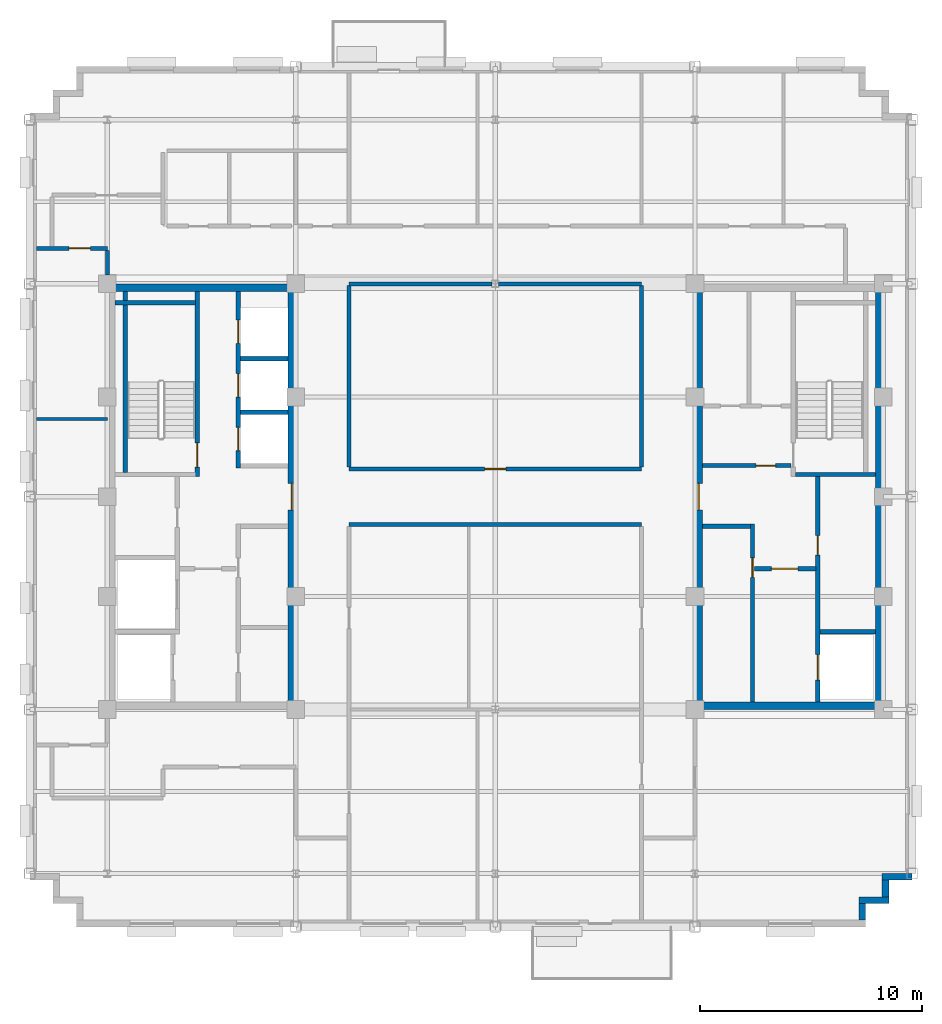
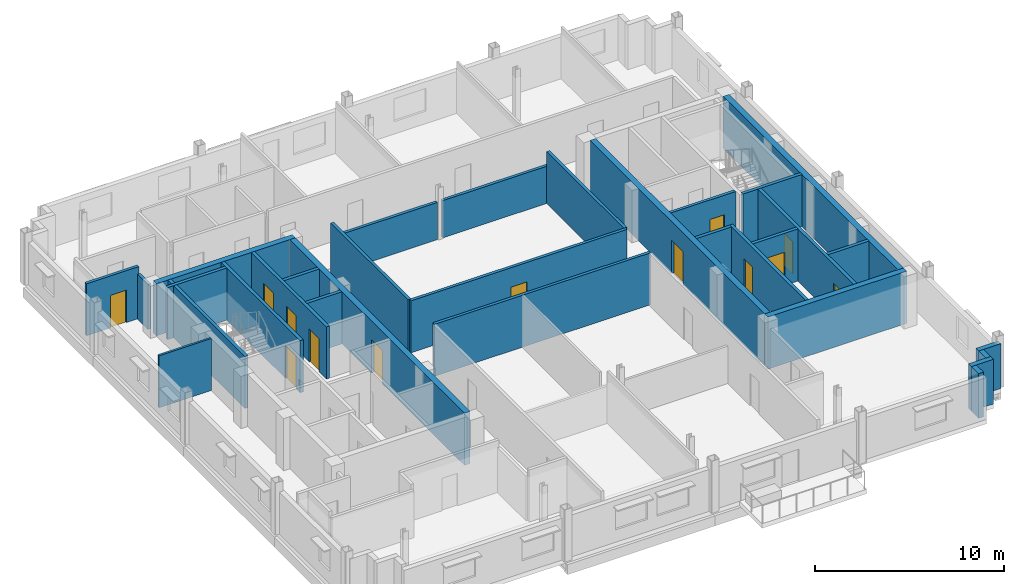
# One storey, part 7 of 13: 31 walls, 13 doors, 13 openings.
"""IFC4 building model written with IfcOpenShell, lengths in metres."""

from ifc_helpers import new_model, si_unit, direction, frame, frame_2d, origin, place, context, subcontext, project, spatial, rectangle, extrude, source, transform, mapped, material, layer, layer_set, type_object, type_shapes, element, fill, save


model = new_model("IFC4")

# Units and contexts
model_context = context("Model", 3, precision=1e-05, world=origin(), true_north=direction((0.0, 1.0)))
body_context = subcontext(model_context, "Body", "Model", "MODEL_VIEW")
ifc_project = project(units=[si_unit("LENGTHUNIT", "METRE"), si_unit("AREAUNIT", "SQUARE_METRE"), si_unit("VOLUMEUNIT", "CUBIC_METRE"), si_unit("PLANEANGLEUNIT", "RADIAN"), si_unit("MASSUNIT", "GRAM", prefix="KILO")], contexts=[model_context])

# Site, building, storey
site_placement = place(None, origin())
site = spatial("IfcSite", under=ifc_project, at=site_placement, CompositionType="ELEMENT")
building_placement = place(site_placement, origin())
building = spatial("IfcBuilding", under=site, at=building_placement, Name="Nuvemarco Arch Tower", CompositionType="ELEMENT")
storey_placement = place(building_placement, frame((0.0, 0.0, 265.25)))
storey = spatial("IfcBuildingStorey", under=building, at=storey_placement, Name="L70", CompositionType="ELEMENT", Elevation=265.25)

# Walls
ifc_material_1 = material(Name="Precast concrete C45/55", Category="concrete")
ifc_layer_1 = layer(ifc_material_1, 0.300048828125, Name="EW-HIGH-300")
ifc_layer_set_1 = layer_set([ifc_layer_1], Name="Precast concrete C45/55")
wall_type_1 = type_object("IfcWallType", Name="EW-HIGH-300", PredefinedType="STANDARD", material=ifc_layer_set_1)
wall_1_placement = place(storey_placement, frame((16.550048828125, -19.10400390625, 0.0), z_axis=(0.0, 0.0, 1.0), x_axis=(0.0, 1.0, 0.0)))
element("IfcWall", 1, at=wall_1_placement, inside=storey, type_object=wall_type_1, Name="L70 exterior precast facade wall 2", PredefinedType="STANDARD", context=body_context, shape_type="SweptSolid", body=[
    extrude(rectangle(XDim=0.758056640625, YDim=0.300048828125, at=frame_2d((0.37890625, 0.0))), origin(), (0.0, 0.0, 1.0), 2.89208984375),
])
wall_2_placement = place(storey_placement, frame((16.39990234375, -18.199951171875, 0.0), z_axis=(0.0, 0.0, 1.0), x_axis=(1.0, 0.0, 0.0)))
element("IfcWall", 2, at=wall_2_placement, inside=storey, type_object=wall_type_1, Name="L70 exterior precast facade wall 3", PredefinedType="STANDARD", context=body_context, shape_type="SweptSolid", body=[
    extrude(rectangle(XDim=1.35009765625, YDim=0.300048828125, at=frame_2d((0.675048828125, 0.0))), origin(), (0.0, 0.0, 1.0), 2.89208984375),
])
wall_3_placement = place(storey_placement, frame((17.60009765625, -18.053955078125, 0.0), z_axis=(0.0, 0.0, 1.0), x_axis=(0.0, 1.0, 0.0)))
element("IfcWall", 3, at=wall_3_placement, inside=storey, type_object=wall_type_1, Name="L70 exterior precast facade wall 4", PredefinedType="STANDARD", context=body_context, shape_type="SweptSolid", body=[
    extrude(rectangle(XDim=0.758056640625, YDim=0.300048828125, at=frame_2d((0.37890625, 0.0))), origin(), (0.0, 0.0, 1.0), 2.89208984375),
])
wall_4_placement = place(storey_placement, frame((17.449951171875, -17.14990234375, 0.0), z_axis=(0.0, 0.0, 1.0), x_axis=(1.0, 0.0, 0.0)))
element("IfcWall", 4, at=wall_4_placement, inside=storey, type_object=wall_type_1, Name="L70 exterior precast facade wall 5", PredefinedType="STANDARD", context=body_context, shape_type="SweptSolid", body=[
    extrude(rectangle(XDim=1.35009765625, YDim=0.300048828125, at=frame_2d((0.675048828125, 0.0))), origin(), (0.0, 0.0, 1.0), 2.89208984375),
])
ifc_material_2 = material(Name="Concrete C50/60", Category="concrete")
ifc_layer_2 = layer(ifc_material_2, 0.35009765625, Name="WL-CORE-350")
ifc_layer_set_2 = layer_set([ifc_layer_2], Name="Concrete C50/60")
wall_type_2 = type_object("IfcWallType", Name="WL-CORE-350", PredefinedType="SHEAR", material=ifc_layer_set_2)
wall_5_placement = place(storey_placement, frame((-17.5, 9.425048828125, 0.0), z_axis=(0.0, 0.0, 1.0), x_axis=(1.0, 0.0, 0.0)))
element("IfcWall", 5, at=wall_5_placement, inside=storey, type_object=wall_type_2, Name="L70 W-core shear wall N", PredefinedType="SHEAR", context=body_context, shape_type="SweptSolid", body=[
    extrude(rectangle(XDim=8.5, YDim=0.35009765625, at=frame_2d((4.25, 0.0))), origin(), (0.0, 0.0, 1.0), 3.3701171875),
])

# Wall, opening, door
wall_6_placement = place(storey_placement, frame((-9.175048828125, -9.2548828125, 0.0), z_axis=(0.0, 0.0, 1.0), x_axis=(0.0, 1.0, 0.0)))
wall_6 = element("IfcWall", 6, at=wall_6_placement, inside=storey, type_object=wall_type_2, Name="L70 W-core shear wall E", PredefinedType="SHEAR", context=body_context, shape_type="SweptSolid", body=[
    extrude(rectangle(XDim=18.509765625, YDim=0.35009765625, at=frame_2d((9.2548828125, 0.0))), origin(), (0.0, 0.0, 1.0), 3.3701171875),
])
opening_1_placement = place(wall_6_placement, frame((8.655029296875, 0.0, 0.0)))
opening_1 = element("IfcOpeningElement", 7, at=opening_1_placement, cuts=wall_6, Name="Opening FD-2", PredefinedType="OPENING", context=body_context, shape_type="SweptSolid", body=[
    extrude(rectangle(XDim=1.199951171875, YDim=2.14990234375, at=frame_2d((0.60009765625, 1.074951171875))), frame((0.0, 0.18505859375, 0.0), z_axis=(0.0, -1.0, 0.0), x_axis=(1.0, 0.0, 0.0)), (0.0, 0.0, 1.0), 0.3701171875),
])
ifc_material_3 = material(Name="Anodised steel fire door", Category="steel")
door_type_1 = type_object("IfcDoorType", Name="DR-FFLOB-FD", OperationType="NOTDEFINED", PredefinedType="DOOR", material=ifc_material_3)
shared_shape_1 = source(origin(), body_context, "Body", "SweptSolid", [
    extrude(rectangle(XDim=1.199951171875, YDim=2.14990234375, at=frame_2d((0.60009765625, 1.074951171875))), frame((0.0, 0.02490234375, 0.0), z_axis=(0.0, -1.0, 0.0), x_axis=(1.0, 0.0, 0.0)), (0.0, 0.0, 1.0), 0.050048828125),
])
type_shapes(door_type_1, [shared_shape_1])
door_1_placement = place(opening_1_placement, origin())
door_1 = element("IfcDoor", 8, at=door_1_placement, inside=storey, type_object=door_type_1, Name="L70 door FD-L70-WCORE-E", OperationType="SINGLE_SWING_LEFT", OverallHeight=2.14990234375, OverallWidth=1.199951171875, PredefinedType="DOOR", context=body_context, shape_type="MappedRepresentation", body=[
    mapped(shared_shape_1, transform((0.0, 0.0, 0.0), scale=1.0)),
])
fill(opening_1, door_1)

# Wall
wall_7_placement = place(storey_placement, frame((9.0, -9.425048828125, 0.0), z_axis=(0.0, 0.0, 1.0), x_axis=(1.0, 0.0, 0.0)))
element("IfcWall", 9, at=wall_7_placement, inside=storey, type_object=wall_type_2, Name="L70 E-core shear wall S", PredefinedType="SHEAR", context=body_context, shape_type="SweptSolid", body=[
    extrude(rectangle(XDim=8.5, YDim=0.35009765625, at=frame_2d((4.25, 0.0))), origin(), (0.0, 0.0, 1.0), 3.3701171875),
])

# Wall, opening, door
wall_8_placement = place(storey_placement, frame((9.175048828125, -9.2548828125, 0.0), z_axis=(0.0, 0.0, 1.0), x_axis=(0.0, 1.0, 0.0)))
wall_8 = element("IfcWall", 10, at=wall_8_placement, inside=storey, type_object=wall_type_2, Name="L70 E-core shear wall W", PredefinedType="SHEAR", context=body_context, shape_type="SweptSolid", body=[
    extrude(rectangle(XDim=18.509765625, YDim=0.35009765625, at=frame_2d((9.2548828125, 0.0))), origin(), (0.0, 0.0, 1.0), 3.3701171875),
])
opening_2_placement = place(wall_8_placement, frame((8.655029296875, 0.0, 0.0)))
opening_2 = element("IfcOpeningElement", 11, at=opening_2_placement, cuts=wall_8, Name="Opening FD-2", PredefinedType="OPENING", context=body_context, shape_type="SweptSolid", body=[
    extrude(rectangle(XDim=1.199951171875, YDim=2.14990234375, at=frame_2d((0.60009765625, 1.074951171875))), frame((0.0, 0.18505859375, 0.0), z_axis=(0.0, -1.0, 0.0), x_axis=(1.0, 0.0, 0.0)), (0.0, 0.0, 1.0), 0.3701171875),
])
door_2_placement = place(opening_2_placement, origin())
door_2 = element("IfcDoor", 12, at=door_2_placement, inside=storey, type_object=door_type_1, Name="L70 door FD-L70-ECORE-W", OperationType="SINGLE_SWING_RIGHT", OverallHeight=2.14990234375, OverallWidth=1.199951171875, PredefinedType="DOOR", context=body_context, shape_type="MappedRepresentation", body=[
    mapped(shared_shape_1, transform((0.0, 0.0, 0.0), scale=1.0)),
])
fill(opening_2, door_2)

# Wall
wall_9_placement = place(storey_placement, frame((17.324951171875, -9.2548828125, 0.0), z_axis=(0.0, 0.0, 1.0), x_axis=(0.0, 1.0, 0.0)))
element("IfcWall", 13, at=wall_9_placement, inside=storey, type_object=wall_type_2, Name="L70 E-core shear wall E", PredefinedType="SHEAR", context=body_context, shape_type="SweptSolid", body=[
    extrude(rectangle(XDim=18.509765625, YDim=0.35009765625, at=frame_2d((9.2548828125, 0.0))), origin(), (0.0, 0.0, 1.0), 3.3701171875),
])

# Wall, opening, door
ifc_material_4 = material(Name="Fire-rated gypsum drywall partition")
ifc_layer_3 = layer(ifc_material_4, 0.179931640625, Name="WL-CORR-180")
ifc_layer_set_3 = layer_set([ifc_layer_3], Name="Fire-rated gypsum drywall partition")
wall_type_3 = type_object("IfcWallType", Name="WL-CORR-180", PredefinedType="PARTITIONING", material=ifc_layer_set_3)
wall_10_placement = place(storey_placement, frame((9.344970703125, 1.39990234375, 0.0), z_axis=(0.0, 0.0, 1.0), x_axis=(1.0, 0.0, 0.0)))
wall_10 = element("IfcWall", 14, at=wall_10_placement, inside=storey, type_object=wall_type_3, Name="L70 interior wall IW-L70-EK-S", PredefinedType="PARTITIONING", context=body_context, shape_type="SweptSolid", body=[
    extrude(rectangle(XDim=4.0, YDim=0.179931640625, at=frame_2d((2.0, 0.0))), origin(), (0.0, 0.0, 1.0), 3.360107421875),
])
opening_3_placement = place(wall_10_placement, frame((2.4150390625, 0.0, 0.0)))
opening_3 = element("IfcOpeningElement", 15, at=opening_3_placement, cuts=wall_10, Name="Opening FD-4", PredefinedType="OPENING", context=body_context, shape_type="SweptSolid", body=[
    extrude(rectangle(XDim=0.8798828125, YDim=2.10009765625, at=frame_2d((0.43994140625, 1.050048828125))), frame((0.0, 0.099853515625, 0.0), z_axis=(0.0, -1.0, 0.0), x_axis=(1.0, 0.0, 0.0)), (0.0, 0.0, 1.0), 0.199951171875),
])
door_type_2 = type_object("IfcDoorType", Name="DR-RISER-FD", OperationType="NOTDEFINED", PredefinedType="DOOR", material=ifc_material_3)
shared_shape_2 = source(origin(), body_context, "Body", "SweptSolid", [
    extrude(rectangle(XDim=0.8798828125, YDim=2.10009765625, at=frame_2d((0.43994140625, 1.050048828125))), frame((0.0, 0.02490234375, 0.0), z_axis=(0.0, -1.0, 0.0), x_axis=(1.0, 0.0, 0.0)), (0.0, 0.0, 1.0), 0.050048828125),
])
type_shapes(door_type_2, [shared_shape_2])
door_3_placement = place(opening_3_placement, origin())
door_3 = element("IfcDoor", 16, at=door_3_placement, inside=storey, type_object=door_type_2, Name="L70 door FD-L70-EK3A", OperationType="SINGLE_SWING_LEFT", OverallHeight=2.10009765625, OverallWidth=0.8798828125, PredefinedType="DOOR", context=body_context, shape_type="MappedRepresentation", body=[
    mapped(shared_shape_2, transform((0.0, 0.0, 0.0), scale=1.0)),
])
fill(opening_3, door_3)

# Wall
wall_11_placement = place(storey_placement, frame((-6.60009765625, -1.25, 0.0), z_axis=(0.0, 0.0, 1.0), x_axis=(1.0, 0.0, 0.0)))
element("IfcWall", 17, at=wall_11_placement, inside=storey, type_object=wall_type_3, Name="L70 interior wall IW-L70-008", PredefinedType="PARTITIONING", context=body_context, shape_type="SweptSolid", body=[
    extrude(rectangle(XDim=13.2001953125, YDim=0.179931640625, at=frame_2d((6.60009765625, 0.0))), origin(), (0.0, 0.0, 1.0), 3.360107421875),
])

# Wall, opening, door
wall_12_placement = place(storey_placement, frame((-6.60009765625, 1.25, 0.0), z_axis=(0.0, 0.0, 1.0), x_axis=(1.0, 0.0, 0.0)))
wall_12 = element("IfcWall", 18, at=wall_12_placement, inside=storey, type_object=wall_type_3, Name="L70 interior wall IW-L70-009", PredefinedType="PARTITIONING", context=body_context, shape_type="SweptSolid", body=[
    extrude(rectangle(XDim=13.2001953125, YDim=0.179931640625, at=frame_2d((6.60009765625, 0.0))), origin(), (0.0, 0.0, 1.0), 3.360107421875),
])
opening_4_placement = place(wall_12_placement, frame((6.1201171875, 0.0, 0.0)))
opening_4 = element("IfcOpeningElement", 19, at=opening_4_placement, cuts=wall_12, Name="Opening FD-5", PredefinedType="OPENING", context=body_context, shape_type="SweptSolid", body=[
    extrude(rectangle(XDim=0.9599609375, YDim=2.10009765625, at=frame_2d((0.47998046875, 1.050048828125))), frame((0.0, 0.099853515625, 0.0), z_axis=(0.0, -1.0, 0.0), x_axis=(1.0, 0.0, 0.0)), (0.0, 0.0, 1.0), 0.199951171875),
])
ifc_material_5 = material(Name="Timber fire door", Category="wood")
door_type_3 = type_object("IfcDoorType", Name="DR-CORR-FD", OperationType="NOTDEFINED", PredefinedType="DOOR", material=ifc_material_5)
shared_shape_3 = source(origin(), body_context, "Body", "SweptSolid", [
    extrude(rectangle(XDim=0.9599609375, YDim=2.10009765625, at=frame_2d((0.47998046875, 1.050048828125))), frame((0.0, 0.02490234375, 0.0), z_axis=(0.0, -1.0, 0.0), x_axis=(1.0, 0.0, 0.0)), (0.0, 0.0, 1.0), 0.050048828125),
])
type_shapes(door_type_3, [shared_shape_3])
door_4_placement = place(opening_4_placement, origin())
door_4 = element("IfcDoor", 20, at=door_4_placement, inside=storey, type_object=door_type_3, Name="L70 door DR-L70-C_N1", OperationType="SINGLE_SWING_RIGHT", OverallHeight=2.10009765625, OverallWidth=0.9599609375, PredefinedType="DOOR", context=body_context, shape_type="MappedRepresentation", body=[
    mapped(shared_shape_3, transform((0.0, 0.0, 0.0), scale=1.0)),
])
fill(opening_4, door_4)

# Walls
for number, where, z_axis, x_axis, name in (
    (21, (-6.60009765625, 9.60009765625, 0.0), (0.0, 0.0, 1.0), (1.0, 0.0, 0.0), "L70 interior wall IW-L70-011"),
    (22, (0.15087890625, 9.60009765625, 0.0), (0.0, 0.0, 1.0), (1.0, 0.0, 0.0), "L70 interior wall IW-L70-012"),
):
    element("IfcWall", number, at=place(storey_placement, frame(where, z_axis=z_axis, x_axis=x_axis)), inside=storey, type_object=wall_type_3, Name=name, PredefinedType="PARTITIONING", context=body_context, shape_type="SweptSolid", body=[
        extrude(rectangle(XDim=6.44921875, YDim=0.179931640625, at=frame_2d((3.224609375, 0.0))), origin(), (0.0, 0.0, 1.0), 2.405029296875),
    ])

# Wall, opening, door
wall_13_placement = place(storey_placement, frame((-20.699951171875, 11.199951171875, 0.0), z_axis=(0.0, 0.0, 1.0), x_axis=(1.0, 0.0, 0.0)))
wall_13 = element("IfcWall", 23, at=wall_13_placement, inside=storey, type_object=wall_type_3, Name="L70 interior wall IW-L70-013", PredefinedType="PARTITIONING", context=body_context, shape_type="SweptSolid", body=[
    extrude(rectangle(XDim=3.199951171875, YDim=0.179931640625, at=frame_2d((1.60009765625, 0.0))), origin(), (0.0, 0.0, 1.0), 3.360107421875),
])
opening_5_placement = place(wall_13_placement, frame((1.469970703125, 0.0, 0.0)))
opening_5 = element("IfcOpeningElement", 24, at=opening_5_placement, cuts=wall_13, Name="Opening FD-5", PredefinedType="OPENING", context=body_context, shape_type="SweptSolid", body=[
    extrude(rectangle(XDim=0.9599609375, YDim=2.10009765625, at=frame_2d((0.47998046875, 1.050048828125))), frame((0.0, 0.099853515625, 0.0), z_axis=(0.0, -1.0, 0.0), x_axis=(1.0, 0.0, 0.0)), (0.0, 0.0, 1.0), 0.199951171875),
])
door_5_placement = place(opening_5_placement, origin())
door_5 = element("IfcDoor", 25, at=door_5_placement, inside=storey, type_object=door_type_3, Name="L70 door DR-L70-W_2", OperationType="SINGLE_SWING_LEFT", OverallHeight=2.10009765625, OverallWidth=0.9599609375, PredefinedType="DOOR", context=body_context, shape_type="MappedRepresentation", body=[
    mapped(shared_shape_3, transform((0.0, 0.0, 0.0), scale=1.0)),
])
fill(opening_5, door_5)

# Walls
wall_14_placement = place(storey_placement, frame((-17.5, 9.99609375, 0.0), z_axis=(0.0, 0.0, 1.0), x_axis=(0.0, 1.0, 0.0)))
element("IfcWall", 26, at=wall_14_placement, inside=storey, type_object=wall_type_3, Name="L70 interior wall IW-L70-021", PredefinedType="PARTITIONING", context=body_context, shape_type="SweptSolid", body=[
    extrude(rectangle(XDim=1.117919921875, YDim=0.179931640625, at=frame_2d((0.55908203125, 0.0))), origin(), (0.0, 0.0, 1.0), 2.89208984375),
])
for number, where, z_axis, x_axis, name in (
    (27, (-6.60009765625, 1.3359375, 0.0), (0.0, 0.0, 1.0), (0.0, 1.0, 0.0), "L70 interior wall IW-L70-028"),
    (28, (6.60009765625, 1.3359375, 0.0), (0.0, 0.0, 1.0), (0.0, 1.0, 0.0), "L70 interior wall IW-L70-034"),
):
    element("IfcWall", number, at=place(storey_placement, frame(where, z_axis=z_axis, x_axis=x_axis)), inside=storey, type_object=wall_type_3, Name=name, PredefinedType="PARTITIONING", context=body_context, shape_type="SweptSolid", body=[
        extrude(rectangle(XDim=8.177978515625, YDim=0.179931640625, at=frame_2d((4.0888671875, 0.0))), origin(), (0.0, 0.0, 1.0), 3.360107421875),
    ])
ifc_material_6 = material(Name="Glazed acoustic office partition")
ifc_layer_4 = layer(ifc_material_6, 0.1298828125, Name="WL-EXEC-130")
ifc_layer_set_4 = layer_set([ifc_layer_4], Name="Glazed acoustic office partition")
wall_type_4 = type_object("IfcWallType", Name="WL-EXEC-130", PredefinedType="PARTITIONING", material=ifc_layer_set_4)
wall_15_placement = place(storey_placement, frame((-20.699951171875, 3.5, 0.0), z_axis=(0.0, 0.0, 1.0), x_axis=(1.0, 0.0, 0.0)))
element("IfcWall", 29, at=wall_15_placement, inside=storey, type_object=wall_type_4, Name="L70 interior wall IW-L70-010", PredefinedType="PARTITIONING", context=body_context, shape_type="SweptSolid", body=[
    extrude(rectangle(XDim=3.199951171875, YDim=0.1298828125, at=frame_2d((1.60009765625, 0.0))), origin(), (0.0, 0.0, 1.0), 3.360107421875),
])

# Wall, opening, door
ifc_layer_5 = layer(ifc_material_2, 0.199951171875, Name="WL-SHAFT-220")
ifc_layer_set_5 = layer_set([ifc_layer_5], Name="Concrete C50/60")
wall_type_5 = type_object("IfcWallType", Name="WL-SHAFT-220", PredefinedType="SHEAR", material=ifc_layer_set_5)
wall_16_placement = place(storey_placement, frame((-13.43994140625, 0.89990234375, 0.0), z_axis=(0.0, 0.0, 1.0), x_axis=(0.0, 1.0, 0.0)))
wall_16 = element("IfcWall", 30, at=wall_16_placement, inside=storey, type_object=wall_type_5, Name="L70 structural shaft wall SW-L70-W-ST1E", PredefinedType="SHEAR", context=body_context, shape_type="SweptSolid", body=[
    extrude(rectangle(XDim=8.35498046875, YDim=0.199951171875, at=frame_2d((4.177490234375, 0.0))), origin(), (0.0, 0.0, 1.0), 3.3701171875),
])
opening_6_placement = place(wall_16_placement, frame((1.530029296875, 0.0, 0.0), z_axis=(0.0, 0.0, 1.0), x_axis=(-1.0, 0.0, 0.0)))
opening_6 = element("IfcOpeningElement", 31, at=opening_6_placement, cuts=wall_16, Name="Opening FD-1", PredefinedType="OPENING", context=body_context, shape_type="SweptSolid", body=[
    extrude(rectangle(XDim=1.10009765625, YDim=2.14990234375, at=frame_2d((0.550048828125, 1.074951171875))), frame((0.0, 0.10986328125, 0.0), z_axis=(0.0, -1.0, 0.0), x_axis=(1.0, 0.0, 0.0)), (0.0, 0.0, 1.0), 0.219970703125),
])
door_type_4 = type_object("IfcDoorType", Name="DR-STAIR-FD", OperationType="NOTDEFINED", PredefinedType="DOOR", material=ifc_material_3)
shared_shape_4 = source(origin(), body_context, "Body", "SweptSolid", [
    extrude(rectangle(XDim=1.10009765625, YDim=2.14990234375, at=frame_2d((0.550048828125, 1.074951171875))), frame((0.0, 0.02490234375, 0.0), z_axis=(0.0, -1.0, 0.0), x_axis=(1.0, 0.0, 0.0)), (0.0, 0.0, 1.0), 0.050048828125),
])
type_shapes(door_type_4, [shared_shape_4])
door_6_placement = place(opening_6_placement, origin())
door_6 = element("IfcDoor", 32, at=door_6_placement, inside=storey, type_object=door_type_4, Name="L70 door FD-L70-ST1", OperationType="SINGLE_SWING_RIGHT", OverallHeight=2.14990234375, OverallWidth=1.10009765625, PredefinedType="DOOR", context=body_context, shape_type="MappedRepresentation", body=[
    mapped(shared_shape_4, transform((0.0, 0.0, 0.0), scale=1.0)),
])
fill(opening_6, door_6)

# Walls
wall_17_placement = place(storey_placement, frame((-17.155029296875, 8.75, 0.0), z_axis=(0.0, 0.0, 1.0), x_axis=(1.0, 0.0, 0.0)))
element("IfcWall", 33, at=wall_17_placement, inside=storey, type_object=wall_type_5, Name="L70 structural shaft wall SW-L70-W-ST1N", PredefinedType="SHEAR", context=body_context, shape_type="SweptSolid", body=[
    extrude(rectangle(XDim=3.6201171875, YDim=0.199951171875, at=frame_2d((1.81005859375, 0.0))), origin(), (0.0, 0.0, 1.0), 3.3701171875),
])
wall_18_placement = place(storey_placement, frame((-16.699951171875, 1.094970703125, 0.0), z_axis=(0.0, 0.0, 1.0), x_axis=(0.0, 1.0, 0.0)))
element("IfcWall", 34, at=wall_18_placement, inside=storey, type_object=wall_type_5, Name="L70 structural shaft wall SW-L70-W-ST1W", PredefinedType="SHEAR", context=body_context, shape_type="SweptSolid", body=[
    extrude(rectangle(XDim=8.159912109375, YDim=0.199951171875, at=frame_2d((4.080078125, 0.0))), origin(), (0.0, 0.0, 1.0), 3.3701171875),
])

# Wall, openings, doors
wall_19_placement = place(storey_placement, frame((-11.60009765625, 1.300048828125, 0.0), z_axis=(0.0, 0.0, 1.0), x_axis=(0.0, 1.0, 0.0)))
wall_19 = element("IfcWall", 35, at=wall_19_placement, inside=storey, type_object=wall_type_5, Name="L70 structural shaft wall SW-L70-W-PHW", PredefinedType="SHEAR", context=body_context, shape_type="SweptSolid", body=[
    extrude(rectangle(XDim=7.954833984375, YDim=0.199951171875, at=frame_2d((3.9775390625, 0.0))), origin(), (0.0, 0.0, 1.0), 3.3701171875),
])
opening_7_placement = place(wall_19_placement, frame((0.77490234375, 0.0, 0.0)))
opening_7 = element("IfcOpeningElement", 36, at=opening_7_placement, cuts=wall_19, Name="Opening LD-1", PredefinedType="OPENING", context=body_context, shape_type="SweptSolid", body=[
    extrude(rectangle(XDim=1.050048828125, YDim=2.14990234375, at=frame_2d((0.52490234375, 1.074951171875))), frame((0.0, 0.10986328125, 0.0), z_axis=(0.0, -1.0, 0.0), x_axis=(1.0, 0.0, 0.0)), (0.0, 0.0, 1.0), 0.219970703125),
])
opening_8_placement = place(wall_19_placement, frame((3.195068359375, 0.0, 0.0)))
opening_8 = element("IfcOpeningElement", 37, at=opening_8_placement, cuts=wall_19, Name="Opening LD-1", PredefinedType="OPENING", context=body_context, shape_type="SweptSolid", body=[
    extrude(rectangle(XDim=1.050048828125, YDim=2.14990234375, at=frame_2d((0.52490234375, 1.074951171875))), frame((0.0, 0.10986328125, 0.0), z_axis=(0.0, -1.0, 0.0), x_axis=(1.0, 0.0, 0.0)), (0.0, 0.0, 1.0), 0.219970703125),
])
opening_9_placement = place(wall_19_placement, frame((5.614990234375, 0.0, 0.0)))
opening_9 = element("IfcOpeningElement", 38, at=opening_9_placement, cuts=wall_19, Name="Opening LD-1", PredefinedType="OPENING", context=body_context, shape_type="SweptSolid", body=[
    extrude(rectangle(XDim=1.050048828125, YDim=2.14990234375, at=frame_2d((0.52490234375, 1.074951171875))), frame((0.0, 0.10986328125, 0.0), z_axis=(0.0, -1.0, 0.0), x_axis=(1.0, 0.0, 0.0)), (0.0, 0.0, 1.0), 0.219970703125),
])
ifc_material_7 = material(Name="Stainless steel lift door", Category="steel")
door_type_5 = type_object("IfcDoorType", Name="DR-LIFT-PASS", OperationType="DOUBLE_DOOR_SLIDING", PredefinedType="DOOR", material=ifc_material_7)
shared_shape_5 = source(origin(), body_context, "Body", "SweptSolid", [
    extrude(rectangle(XDim=1.050048828125, YDim=2.14990234375, at=frame_2d((0.52490234375, 1.074951171875))), frame((0.0, 0.02490234375, 0.0), z_axis=(0.0, -1.0, 0.0), x_axis=(1.0, 0.0, 0.0)), (0.0, 0.0, 1.0), 0.050048828125),
])
type_shapes(door_type_5, [shared_shape_5])
door_7_placement = place(opening_7_placement, origin())
door_7 = element("IfcDoor", 39, at=door_7_placement, inside=storey, type_object=door_type_5, Name="L70 Lift landing sliding door PH-1", OperationType="DOUBLE_DOOR_SLIDING", OverallHeight=2.14990234375, OverallWidth=1.050048828125, PredefinedType="DOOR", context=body_context, shape_type="MappedRepresentation", body=[
    mapped(shared_shape_5, transform((0.0, 0.0, 0.0), scale=1.0)),
])
fill(opening_7, door_7)
door_8_placement = place(opening_8_placement, origin())
door_8 = element("IfcDoor", 40, at=door_8_placement, inside=storey, type_object=door_type_5, Name="L70 Lift landing sliding door PH-2", OperationType="DOUBLE_DOOR_SLIDING", OverallHeight=2.14990234375, OverallWidth=1.050048828125, PredefinedType="DOOR", context=body_context, shape_type="MappedRepresentation", body=[
    mapped(shared_shape_5, transform((0.0, 0.0, 0.0), scale=1.0)),
])
fill(opening_8, door_8)
door_9_placement = place(opening_9_placement, origin())
door_9 = element("IfcDoor", 41, at=door_9_placement, inside=storey, type_object=door_type_5, Name="L70 Lift landing sliding door PH-3", OperationType="DOUBLE_DOOR_SLIDING", OverallHeight=2.14990234375, OverallWidth=1.050048828125, PredefinedType="DOOR", context=body_context, shape_type="MappedRepresentation", body=[
    mapped(shared_shape_5, transform((0.0, 0.0, 0.0), scale=1.0)),
])
fill(opening_9, door_9)

# Walls
for number, where, z_axis, x_axis, name in (
    (42, (-11.5048828125, 3.800048828125, 0.0), (0.0, 0.0, 1.0), (1.0, 0.0, 0.0), "L70 structural shaft wall SW-L70-W-PHD2"),
    (43, (-11.5048828125, 6.219970703125, 0.0), (0.0, 0.0, 1.0), (1.0, 0.0, 0.0), "L70 structural shaft wall SW-L70-W-PHD3"),
):
    element("IfcWall", number, at=place(storey_placement, frame(where, z_axis=z_axis, x_axis=x_axis)), inside=storey, type_object=wall_type_5, Name=name, PredefinedType="SHEAR", context=body_context, shape_type="SweptSolid", body=[
        extrude(rectangle(XDim=2.159912109375, YDim=0.199951171875, at=frame_2d((1.080078125, 0.0))), origin(), (0.0, 0.0, 1.0), 3.3701171875),
    ])
wall_20_placement = place(storey_placement, frame((13.534912109375, 1.0, 0.0), z_axis=(0.0, 0.0, 1.0), x_axis=(1.0, 0.0, 0.0)))
element("IfcWall", 44, at=wall_20_placement, inside=storey, type_object=wall_type_5, Name="L70 structural shaft wall SW-L70-E-ST2S", PredefinedType="SHEAR", context=body_context, shape_type="SweptSolid", body=[
    extrude(rectangle(XDim=3.6201171875, YDim=0.199951171875, at=frame_2d((1.81005859375, 0.0))), origin(), (0.0, 0.0, 1.0), 3.3701171875),
])

# Wall, openings, doors
wall_21_placement = place(storey_placement, frame((14.550048828125, -9.2548828125, 0.0), z_axis=(0.0, 0.0, 1.0), x_axis=(0.0, 1.0, 0.0)))
wall_21 = element("IfcWall", 45, at=wall_21_placement, inside=storey, type_object=wall_type_5, Name="L70 structural shaft wall SW-L70-E-SHW", PredefinedType="SHEAR", context=body_context, shape_type="SweptSolid", body=[
    extrude(rectangle(XDim=10.159912109375, YDim=0.199951171875, at=frame_2d((5.080078125, 0.0))), origin(), (0.0, 0.0, 1.0), 3.3701171875),
])
opening_10_placement = place(wall_21_placement, frame((6.614990234375, 0.0, 0.0)))
opening_10 = element("IfcOpeningElement", 46, at=opening_10_placement, cuts=wall_21, Name="Opening FD-4", PredefinedType="OPENING", context=body_context, shape_type="SweptSolid", body=[
    extrude(rectangle(XDim=0.8798828125, YDim=2.10009765625, at=frame_2d((0.43994140625, 1.050048828125))), frame((0.0, 0.10986328125, 0.0), z_axis=(0.0, -1.0, 0.0), x_axis=(1.0, 0.0, 0.0)), (0.0, 0.0, 1.0), 0.219970703125),
])
opening_11_placement = place(wall_21_placement, frame((0.97998046875, 0.0, 0.0)))
opening_11 = element("IfcOpeningElement", 47, at=opening_11_placement, cuts=wall_21, Name="Opening LD-2", PredefinedType="OPENING", context=body_context, shape_type="SweptSolid", body=[
    extrude(rectangle(XDim=1.14990234375, YDim=2.14990234375, at=frame_2d((0.574951171875, 1.074951171875))), frame((0.0, 0.10986328125, 0.0), z_axis=(0.0, -1.0, 0.0), x_axis=(1.0, 0.0, 0.0)), (0.0, 0.0, 1.0), 0.219970703125),
])
door_10_placement = place(opening_10_placement, origin())
door_10 = element("IfcDoor", 48, at=door_10_placement, inside=storey, type_object=door_type_2, Name="L70 door FD-L70-ERIS", OperationType="SINGLE_SWING_LEFT", OverallHeight=2.10009765625, OverallWidth=0.8798828125, PredefinedType="DOOR", context=body_context, shape_type="MappedRepresentation", body=[
    mapped(shared_shape_2, transform((0.0, 0.0, 0.0), scale=1.0)),
])
fill(opening_10, door_10)
door_type_6 = type_object("IfcDoorType", Name="DR-LIFT-FIRE", OperationType="DOUBLE_DOOR_SLIDING", PredefinedType="DOOR", material=ifc_material_7)
shared_shape_6 = source(origin(), body_context, "Body", "SweptSolid", [
    extrude(rectangle(XDim=1.14990234375, YDim=2.14990234375, at=frame_2d((0.574951171875, 1.074951171875))), frame((0.0, 0.02490234375, 0.0), z_axis=(0.0, -1.0, 0.0), x_axis=(1.0, 0.0, 0.0)), (0.0, 0.0, 1.0), 0.050048828125),
])
type_shapes(door_type_6, [shared_shape_6])
door_11_placement = place(opening_11_placement, origin())
door_11 = element("IfcDoor", 49, at=door_11_placement, inside=storey, type_object=door_type_6, Name="L70 Lift landing sliding door FFL-2", OperationType="DOUBLE_DOOR_SLIDING", OverallHeight=2.14990234375, OverallWidth=1.14990234375, PredefinedType="DOOR", context=body_context, shape_type="MappedRepresentation", body=[
    mapped(shared_shape_6, transform((0.0, 0.0, 0.0), scale=1.0)),
])
fill(opening_11, door_11)

# Wall
wall_22_placement = place(storey_placement, frame((14.64501953125, -6.10009765625, 0.0), z_axis=(0.0, 0.0, 1.0), x_axis=(1.0, 0.0, 0.0)))
element("IfcWall", 50, at=wall_22_placement, inside=storey, type_object=wall_type_5, Name="L70 structural shaft wall SW-L70-E-SH1", PredefinedType="SHEAR", context=body_context, shape_type="SweptSolid", body=[
    extrude(rectangle(XDim=2.510009765625, YDim=0.199951171875, at=frame_2d((1.2548828125, 0.0))), origin(), (0.0, 0.0, 1.0), 3.3701171875),
])

# Wall, opening, door
wall_23_placement = place(storey_placement, frame((11.60009765625, -9.2548828125, 0.0), z_axis=(0.0, 0.0, 1.0), x_axis=(0.0, 1.0, 0.0)))
wall_23 = element("IfcWall", 51, at=wall_23_placement, inside=storey, type_object=wall_type_5, Name="L70 structural shaft wall SW-L70-E-PME", PredefinedType="SHEAR", context=body_context, shape_type="SweptSolid", body=[
    extrude(rectangle(XDim=8.02490234375, YDim=0.199951171875, at=frame_2d((4.012451171875, 0.0))), origin(), (0.0, 0.0, 1.0), 3.3701171875),
])
opening_12_placement = place(wall_23_placement, frame((5.614990234375, 0.0, 0.0)))
opening_12 = element("IfcOpeningElement", 52, at=opening_12_placement, cuts=wall_23, Name="Opening FD-4", PredefinedType="OPENING", context=body_context, shape_type="SweptSolid", body=[
    extrude(rectangle(XDim=0.8798828125, YDim=2.10009765625, at=frame_2d((0.43994140625, 1.050048828125))), frame((0.0, 0.10986328125, 0.0), z_axis=(0.0, -1.0, 0.0), x_axis=(1.0, 0.0, 0.0)), (0.0, 0.0, 1.0), 0.219970703125),
])
door_12_placement = place(opening_12_placement, origin())
door_12 = element("IfcDoor", 53, at=door_12_placement, inside=storey, type_object=door_type_2, Name="L70 door FD-L70-ERECPM", OperationType="SINGLE_SWING_RIGHT", OverallHeight=2.10009765625, OverallWidth=0.8798828125, PredefinedType="DOOR", context=body_context, shape_type="MappedRepresentation", body=[
    mapped(shared_shape_2, transform((0.0, 0.0, 0.0), scale=1.0)),
])
fill(opening_12, door_12)

wall_24_placement = place(storey_placement, frame((11.695068359375, -3.25, 0.0), z_axis=(0.0, 0.0, 1.0), x_axis=(1.0, 0.0, 0.0)))
wall_24 = element("IfcWall", 54, at=wall_24_placement, inside=storey, type_object=wall_type_5, Name="L70 structural shaft wall SW-L70-E-FFN", PredefinedType="SHEAR", context=body_context, shape_type="SweptSolid", body=[
    extrude(rectangle(XDim=2.760009765625, YDim=0.199951171875, at=frame_2d((1.3798828125, 0.0))), origin(), (0.0, 0.0, 1.0), 3.3701171875),
])
opening_13_placement = place(wall_24_placement, frame((0.7548828125, 0.0, 0.0)))
opening_13 = element("IfcOpeningElement", 55, at=opening_13_placement, cuts=wall_24, Name="Opening FD-2", PredefinedType="OPENING", context=body_context, shape_type="SweptSolid", body=[
    extrude(rectangle(XDim=1.199951171875, YDim=2.14990234375, at=frame_2d((0.60009765625, 1.074951171875))), frame((0.0, 0.10986328125, 0.0), z_axis=(0.0, -1.0, 0.0), x_axis=(1.0, 0.0, 0.0)), (0.0, 0.0, 1.0), 0.219970703125),
])
door_13_placement = place(opening_13_placement, origin())
door_13 = element("IfcDoor", 56, at=door_13_placement, inside=storey, type_object=door_type_1, Name="L70 door FD-L70-EFF2", OperationType="SINGLE_SWING_LEFT", OverallHeight=2.14990234375, OverallWidth=1.199951171875, PredefinedType="DOOR", context=body_context, shape_type="MappedRepresentation", body=[
    mapped(shared_shape_1, transform((0.0, 0.0, 0.0), scale=1.0)),
])
fill(opening_13, door_13)

# Wall
wall_25_placement = place(storey_placement, frame((9.344970703125, -1.330078125, 0.0), z_axis=(0.0, 0.0, 1.0), x_axis=(1.0, 0.0, 0.0)))
element("IfcWall", 57, at=wall_25_placement, inside=storey, type_object=wall_type_5, Name="L70 structural shaft wall SW-L70-E-PMTOP", PredefinedType="SHEAR", context=body_context, shape_type="SweptSolid", body=[
    extrude(rectangle(XDim=2.159912109375, YDim=0.199951171875, at=frame_2d((1.080078125, 0.0))), origin(), (0.0, 0.0, 1.0), 3.3701171875),
])

save(model, "model.ifc")
